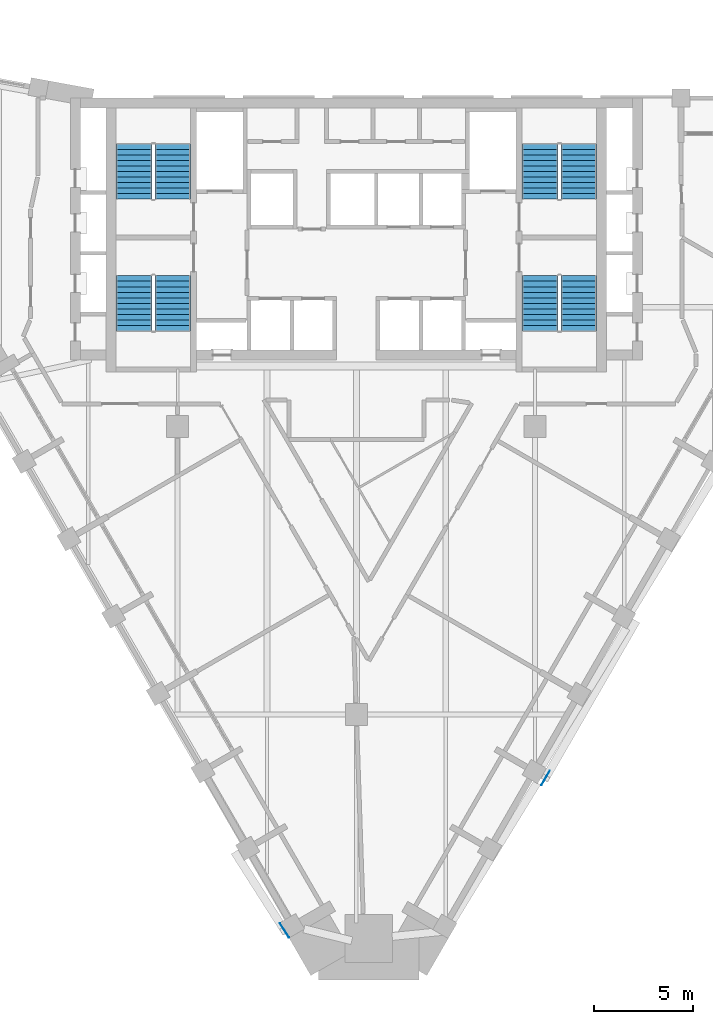
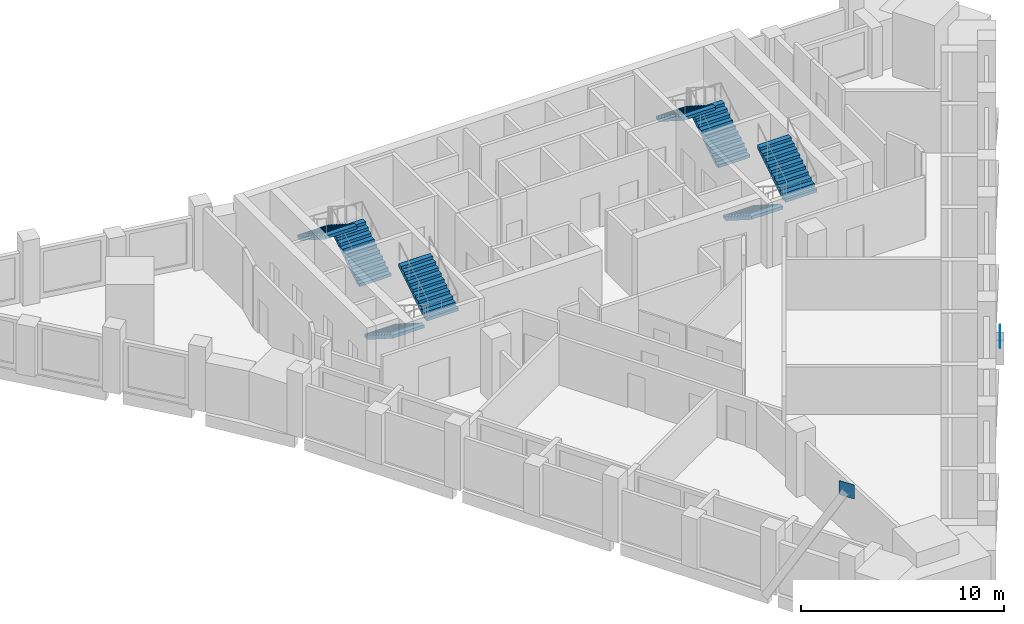
# One storey, part 8 of 9: 8 stair flights, 2 discrete accessories, 4 elements without a shape of their own.
"""IFC4 building model written with IfcOpenShell, lengths in metres."""

import ifcopenshell
import ifcopenshell.guid

model = None  # the IFC model being written
_history = None  # IfcOwnerHistory: only IFC2X3 demands one
_inside = {}  # id of a spatial element -> (the spatial element, [elements in it])
_under = {}  # id of a project, library or spatial element -> (it, [spatial elements below it])
_declared = {}  # id of a project -> (the project, [libraries it declares])
_typed = {}  # id of a type object -> (the type object, [elements of that type])
_made_of = {}  # id of a material, layer set ... -> (it, [elements and type objects made of it])


def new_model(schema):
    """Start an empty IFC model of exactly this schema.

    Asked for "IFC4X3", IfcOpenShell would pick the latest addendum, in which some entities
    have other attributes; the version numbers below select the first issue.
    IFC2X3 requires an IfcOwnerHistory on every rooted entity: one is made here for all.
    """
    global model, _history
    if schema == "IFC4X3":
        model = ifcopenshell.file(schema_version=(4, 3, 0, 0))
    else:
        model = ifcopenshell.file(schema=schema)
    _inside.clear()
    _under.clear()
    _declared.clear()
    _typed.clear()
    _made_of.clear()
    _history = None
    if model.schema == "IFC2X3":
        org = make("IfcOrganization", Name="unknown")
        user = make(
            "IfcPersonAndOrganization",
            ThePerson=make("IfcPerson", FamilyName="unknown"),
            TheOrganization=org,
        )
        app = make(
            "IfcApplication",
            ApplicationDeveloper=org,
            Version="unknown",
            ApplicationFullName="unknown",
            ApplicationIdentifier="unknown",
        )
        _history = make(
            "IfcOwnerHistory",
            OwningUser=user,
            OwningApplication=app,
            ChangeAction="ADDED",
            CreationDate=0,
        )
    return model


def make(cls, **values):
    """One entity of the class cls with the attributes given. An attribute that is None is left unset."""
    return model.create_entity(
        cls, **{name: value for name, value in values.items() if value is not None}
    )


def rooted(cls, **values):
    """An entity with a GlobalId (a new one), such as an element, a storey or a relation."""
    return make(cls, GlobalId=ifcopenshell.guid.new(), OwnerHistory=_history, **values)


def si_unit(unit_type, name, prefix=None):
    """IfcSIUnit, for example si_unit("LENGTHUNIT", "METRE", prefix="MILLI")."""
    return make("IfcSIUnit", UnitType=unit_type, Prefix=prefix, Name=name)


def assignment(units):
    """IfcUnitAssignment: the units of a project."""
    return None if units is None else make("IfcUnitAssignment", Units=units)


def point(xyz):
    """IfcCartesianPoint."""
    return None if xyz is None else make("IfcCartesianPoint", Coordinates=xyz)


def direction(xyz):
    """IfcDirection."""
    return None if xyz is None else make("IfcDirection", DirectionRatios=xyz)


def frame(location, z_axis=None, x_axis=None):
    """IfcAxis2Placement3D, a coordinate frame: its origin and axes. An axis left out is left unset."""
    return make(
        "IfcAxis2Placement3D",
        Location=point(location),
        Axis=direction(z_axis),
        RefDirection=direction(x_axis),
    )


def frame_2d(location, x_axis=None):
    """IfcAxis2Placement2D, a coordinate frame in the plane: its origin and x axis."""
    return make(
        "IfcAxis2Placement2D", Location=point(location), RefDirection=direction(x_axis)
    )


def origin():
    """The frame at (0, 0, 0) with its axes left unset."""
    return frame((0.0, 0.0, 0.0))


def origin_2d():
    """The frame at (0, 0) in the plane with its x axis left unset."""
    return frame_2d((0.0, 0.0))


def place(relative_to, where):
    """IfcLocalPlacement: puts the frame where relative to a parent placement (None: the world)."""
    return make(
        "IfcLocalPlacement", PlacementRelTo=relative_to, RelativePlacement=where
    )


def context(
    kind, dimensions, precision=None, world=None, true_north=None, identifier=None
):
    """IfcGeometricRepresentationContext, for example the 3D "Model" context."""
    return make(
        "IfcGeometricRepresentationContext",
        ContextIdentifier=identifier,
        ContextType=kind,
        CoordinateSpaceDimension=dimensions,
        Precision=precision,
        WorldCoordinateSystem=world,
        TrueNorth=true_north,
    )


def subcontext(parent, identifier, kind, view, scale=None):
    """IfcGeometricRepresentationSubContext, for example "Body" below "Model"."""
    return make(
        "IfcGeometricRepresentationSubContext",
        ContextIdentifier=identifier,
        ContextType=kind,
        ParentContext=parent,
        TargetScale=scale,
        TargetView=view,
    )


def project(units=None, contexts=None):
    """IfcProject with its units and contexts."""
    return rooted(
        "IfcProject",
        Name="project",
        RepresentationContexts=contexts,
        UnitsInContext=assignment(units),
    )


def spatial(cls, under=None, at=None, **own):
    """A site, building, storey or space (cls), placed at a placement, below another one or the project."""
    s = rooted(cls, ObjectPlacement=at, **own)
    if under is not None:
        _under.setdefault(under.id(), (under, []))[1].append(s)
    return s


def profile(cls, at=None, kind="AREA", **sizes):
    """A parametric profile (cls). Its sizes go by their IFC names, for example OverallWidth=200.0."""
    return make(cls, ProfileType=kind, Position=at, **sizes)


def rectangle(**sizes):
    """IfcRectangleProfileDef."""
    return profile("IfcRectangleProfileDef", **sizes)


def extrude(swept, where, along, depth):
    """IfcExtrudedAreaSolid: the profile swept, set in the frame where, extruded along a direction by depth."""
    return make(
        "IfcExtrudedAreaSolid",
        SweptArea=swept,
        Position=where,
        ExtrudedDirection=direction(along),
        Depth=depth,
    )


def faces_of(points, faces, orient=None, outer=None):
    """IfcFace entities. A face is a list of loops; a loop is a list of indices into points, from 0.

    orient and outer hold one flag for each loop. By default every Orientation is true, the
    first loop of a face is its IfcFaceOuterBound and the others are IfcFaceBound.
    """
    made = []
    for i, loops in enumerate(faces):
        bounds = []
        for j, loop in enumerate(loops):
            is_outer = j == 0 if outer is None else outer[i][j]
            bounds.append(
                make(
                    "IfcFaceOuterBound" if is_outer else "IfcFaceBound",
                    Bound=make("IfcPolyLoop", Polygon=[points[k] for k in loop]),
                    Orientation=True if orient is None else orient[i][j],
                )
            )
        made.append(make("IfcFace", Bounds=bounds))
    return made


def faceted_brep(points, faces, orient=None, outer=None, voids=None):
    """IfcFacetedBrep: a solid bounded by flat faces; with voids (closed shells), ...WithVoids."""
    shared = [point(p) for p in points]
    hull = make("IfcClosedShell", CfsFaces=faces_of(shared, faces, orient, outer))
    if voids is None:
        return make("IfcFacetedBrep", Outer=hull)
    return make(
        "IfcFacetedBrepWithVoids",
        Outer=hull,
        Voids=[
            make(cls, CfsFaces=faces_of(shared, fs, o, b)) for cls, fs, o, b in voids
        ],
    )


def shape(context_of_items, identifier, shape_type, items):
    """IfcShapeRepresentation: the items that make up one representation, for example the "Body"."""
    return make(
        "IfcShapeRepresentation",
        ContextOfItems=context_of_items,
        RepresentationIdentifier=identifier,
        RepresentationType=shape_type,
        Items=items,
    )


def source(mapping_origin, context_of_items, identifier, shape_type, items):
    """IfcRepresentationMap: a shape defined once, which mapped items show again and again."""
    return make(
        "IfcRepresentationMap",
        MappingOrigin=mapping_origin,
        MappedRepresentation=shape(context_of_items, identifier, shape_type, items),
    )


def transform(
    local_origin,
    x_axis=None,
    y_axis=None,
    z_axis=None,
    scale=None,
    scale2=None,
    scale3=None,
    uniform=True,
):
    """IfcCartesianTransformationOperator3D, or its non-uniform kind. x_axis, y_axis, z_axis: its Axis1, 2, 3."""
    if uniform:
        return make(
            "IfcCartesianTransformationOperator3D",
            Axis1=direction(x_axis),
            Axis2=direction(y_axis),
            LocalOrigin=point(local_origin),
            Scale=scale,
            Axis3=direction(z_axis),
        )
    return make(
        "IfcCartesianTransformationOperator3DnonUniform",
        Axis1=direction(x_axis),
        Axis2=direction(y_axis),
        LocalOrigin=point(local_origin),
        Scale=scale,
        Axis3=direction(z_axis),
        Scale2=scale2,
        Scale3=scale3,
    )


def mapped(mapping_source, mapping_target):
    """IfcMappedItem: shows the shape of a source again, moved by a transform."""
    return make(
        "IfcMappedItem", MappingSource=mapping_source, MappingTarget=mapping_target
    )


def material(Name=None, Category=None):
    """IfcMaterial."""
    return make("IfcMaterial", Name=Name, Category=Category)


def made_of(thing, what):
    """Note that an element or type object is made of a material, layer set ...; save() writes the relation."""
    if what is not None:
        _made_of.setdefault(what.id(), (what, []))[1].append(thing)
    return thing


def type_object(cls, material=None, **own):
    """A type object (cls), such as IfcWallType, which elements share."""
    return made_of(rooted(cls, **own), material)


def element(
    cls,
    number,
    at=None,
    inside=None,
    cuts=None,
    type_object=None,
    material=None,
    context=None,
    identifier="Body",
    shape_type=None,
    held_by="IfcProductDefinitionShape",
    body=None,
    shapes=None,
    **own,
):
    """One element of the class cls, such as IfcWall. Its Tag is "e" and its number.

    at: its placement. inside: the storey or other place that contains it. cuts: it is an
    opening in that element (IfcRelVoidsElement). A single representation is given by context,
    identifier, shape_type and body (its items); several are given by shapes. held_by: the class
    of the entity that holds the representations. save() writes the other relations.
    """
    e = rooted(cls, Tag="e%d" % number, ObjectPlacement=at, **own)
    if body is not None:
        shapes = [shape(context, identifier, shape_type, body)]
    if shapes is not None:
        e.Representation = make(held_by, Representations=shapes)
    if inside is not None:
        _inside.setdefault(inside.id(), (inside, []))[1].append(e)
    if cuts is not None:
        rooted(
            "IfcRelVoidsElement", RelatingBuildingElement=cuts, RelatedOpeningElement=e
        )
    if type_object is not None:
        _typed.setdefault(type_object.id(), (type_object, []))[1].append(e)
    return made_of(e, material)


def aggregate(whole, parts):
    """IfcRelAggregates: a whole, such as a stair, and the parts it consists of."""
    return rooted("IfcRelAggregates", RelatingObject=whole, RelatedObjects=parts)


def save(model, path):
    """Write the relations noted so far, then the file.

    IfcRelAggregates (storeys below a building ...), IfcRelContainedInSpatialStructure (elements
    in a storey), IfcRelDefinesByType, IfcRelAssociatesMaterial and IfcRelDeclares: one each for
    every whole, place, type object, material and project.
    """
    for whole, parts in _under.values():
        aggregate(whole, parts)
    for where, things in _inside.values():
        rooted(
            "IfcRelContainedInSpatialStructure",
            RelatedElements=things,
            RelatingStructure=where,
        )
    for kind, things in _typed.values():
        rooted("IfcRelDefinesByType", RelatedObjects=things, RelatingType=kind)
    for what, things in _made_of.values():
        rooted("IfcRelAssociatesMaterial", RelatedObjects=things, RelatingMaterial=what)
    for by, libraries in _declared.values():
        rooted("IfcRelDeclares", RelatingContext=by, RelatedDefinitions=libraries)
    model.write(path)


model = new_model("IFC4")

# Units and contexts
model_context = context("Model", 3, precision=1e-05, world=origin(), true_north=direction((0.0, 1.0)))
body_context = subcontext(model_context, "Body", "Model", "MODEL_VIEW")
ifc_project = project(units=[si_unit("LENGTHUNIT", "METRE"), si_unit("AREAUNIT", "SQUARE_METRE"), si_unit("VOLUMEUNIT", "CUBIC_METRE"), si_unit("PLANEANGLEUNIT", "RADIAN"), si_unit("MASSUNIT", "GRAM", prefix="KILO")], contexts=[model_context])

# Site, building, storey
site_placement = place(None, origin())
site = spatial("IfcSite", under=ifc_project, at=site_placement, CompositionType="ELEMENT")
building_placement = place(site_placement, origin())
building = spatial("IfcBuilding", under=site, at=building_placement, Name="Calabash Gate Tower", CompositionType="ELEMENT")
storey_placement = place(building_placement, frame((0.0, 0.0, 219.800048828125)))
storey = spatial("IfcBuildingStorey", under=building, at=storey_placement, Name="L52", CompositionType="ELEMENT", Elevation=219.800048828125)

# Stair, stair flights
ifc_material_1 = material(Name="Concrete C40/50", Category="concrete")
stair_type = type_object("IfcStairType", Name="Exit stair 22 risers of 177.3 mm", PredefinedType="HALF_TURN_STAIR", material=ifc_material_1)
stair_1_placement = place(storey_placement, origin())
stair_1 = element("IfcStair", 1, at=stair_1_placement, inside=storey, type_object=stair_type, Name="L52 Exit stair ST1", PredefinedType="HALF_TURN_STAIR")
ifc_material_2 = material(Name="Concrete C40/50", Category="concrete")
stair_flight_type = type_object("IfcStairFlightType", Name="Exit stair flight SFL", PredefinedType="STRAIGHT", material=ifc_material_2)
shared_shape = source(origin(), body_context, "Body", "Brep", [
    faceted_brep([(-0.0009765625, -0.89990234375, 0.0), (0.279541015625, -0.89990234375, 0.0), (2.791015625, -0.89990234375, 1.59521484375), (-0.0009765625, 0.89990234375, 0.0), (2.791015625, 0.89990234375, 1.59521484375), (0.279541015625, 0.89990234375, 0.0), (2.791015625, -0.89990234375, 1.78466796875), (2.7900390625, -0.89990234375, 1.78466796875), (2.7900390625, 0.89990234375, 1.78466796875), (2.791015625, 0.89990234375, 1.78466796875), (2.7900390625, -0.89990234375, 1.772705078125), (2.7900390625, 0.89990234375, 1.772705078125), (2.510986328125, -0.89990234375, 1.772705078125), (2.510986328125, 0.89990234375, 1.772705078125), (2.510986328125, -0.89990234375, 1.595458984375), (2.510986328125, 0.89990234375, 1.595458984375), (2.23193359375, -0.89990234375, 1.595458984375), (2.23193359375, 0.89990234375, 1.595458984375), (2.23193359375, -0.89990234375, 1.418212890625), (2.23193359375, 0.89990234375, 1.418212890625), (1.952880859375, -0.89990234375, 1.418212890625), (1.952880859375, -0.89990234375, 1.240966796875), (1.952880859375, 0.89990234375, 1.240966796875), (1.952880859375, 0.89990234375, 1.418212890625), (1.674072265625, -0.89990234375, 1.240966796875), (1.674072265625, -0.89990234375, 1.063720703125), (1.674072265625, 0.89990234375, 1.063720703125), (1.674072265625, 0.89990234375, 1.240966796875), (1.39501953125, -0.89990234375, 1.063720703125), (1.39501953125, -0.89990234375, 0.886474609375), (1.39501953125, 0.89990234375, 0.886474609375), (1.39501953125, 0.89990234375, 1.063720703125), (1.115966796875, -0.89990234375, 0.886474609375), (1.115966796875, -0.89990234375, 0.708984375), (1.115966796875, 0.89990234375, 0.708984375), (1.115966796875, 0.89990234375, 0.886474609375), (0.8369140625, -0.89990234375, 0.708984375), (0.8369140625, -0.89990234375, 0.53173828125), (0.8369140625, 0.89990234375, 0.53173828125), (0.8369140625, 0.89990234375, 0.708984375), (0.55810546875, -0.89990234375, 0.53173828125), (0.55810546875, -0.89990234375, 0.3544921875), (0.55810546875, 0.89990234375, 0.3544921875), (0.55810546875, 0.89990234375, 0.53173828125), (0.279052734375, -0.89990234375, 0.3544921875), (0.279052734375, -0.89990234375, 0.17724609375), (0.279052734375, 0.89990234375, 0.17724609375), (0.279052734375, 0.89990234375, 0.3544921875), (-0.0009765625, -0.89990234375, 0.17724609375), (-0.0009765625, 0.89990234375, 0.17724609375), (0.279541015625, -0.360107421875, 0.0), (2.791015625, -0.360107421875, 1.59521484375), (0.279541015625, 0.0, 0.0), (2.791015625, 0.0, 1.59521484375), (0.279541015625, 0.360107421875, 0.0), (2.791015625, 0.360107421875, 1.59521484375), (2.791015625, -0.360107421875, 1.78466796875), (2.791015625, 0.0, 1.78466796875), (2.791015625, 0.360107421875, 1.78466796875), (2.7900390625, -0.360107421875, 1.78466796875), (2.7900390625, 0.0, 1.78466796875), (2.7900390625, 0.360107421875, 1.78466796875), (2.7900390625, -0.360107421875, 1.772705078125), (2.7900390625, 0.0, 1.772705078125), (2.7900390625, 0.360107421875, 1.772705078125), (2.510986328125, -0.360107421875, 1.772705078125), (2.510986328125, 0.0, 1.772705078125), (2.510986328125, 0.360107421875, 1.772705078125), (2.510986328125, -0.360107421875, 1.595458984375), (2.510986328125, 0.0, 1.595458984375), (2.510986328125, 0.360107421875, 1.595458984375), (2.23193359375, -0.360107421875, 1.595458984375), (2.23193359375, 0.0, 1.595458984375), (2.23193359375, 0.360107421875, 1.595458984375), (2.23193359375, -0.360107421875, 1.418212890625), (2.23193359375, 0.0, 1.418212890625), (2.23193359375, 0.360107421875, 1.418212890625), (1.952880859375, -0.360107421875, 1.418212890625), (1.952880859375, 0.0, 1.418212890625), (1.952880859375, 0.360107421875, 1.418212890625), (1.952880859375, -0.360107421875, 1.240966796875), (1.952880859375, 0.0, 1.240966796875), (1.952880859375, 0.360107421875, 1.240966796875), (1.674072265625, -0.360107421875, 1.240966796875), (1.674072265625, 0.0, 1.240966796875), (1.674072265625, 0.360107421875, 1.240966796875), (1.674072265625, -0.360107421875, 1.063720703125), (1.674072265625, 0.0, 1.063720703125), (1.674072265625, 0.360107421875, 1.063720703125), (1.39501953125, -0.360107421875, 1.063720703125), (1.39501953125, 0.0, 1.063720703125), (1.39501953125, 0.360107421875, 1.063720703125), (1.39501953125, -0.360107421875, 0.886474609375), (1.39501953125, 0.0, 0.886474609375), (1.39501953125, 0.360107421875, 0.886474609375), (1.115966796875, -0.360107421875, 0.886474609375), (1.115966796875, 0.0, 0.886474609375), (1.115966796875, 0.360107421875, 0.886474609375), (1.115966796875, -0.360107421875, 0.708984375), (1.115966796875, 0.0, 0.708984375), (1.115966796875, 0.360107421875, 0.708984375), (0.8369140625, -0.360107421875, 0.708984375), (0.8369140625, 0.0, 0.708984375), (0.8369140625, 0.360107421875, 0.708984375), (0.8369140625, -0.360107421875, 0.53173828125), (0.8369140625, 0.0, 0.53173828125), (0.8369140625, 0.360107421875, 0.53173828125), (0.55810546875, -0.360107421875, 0.53173828125), (0.55810546875, 0.0, 0.53173828125), (0.55810546875, 0.360107421875, 0.53173828125), (0.55810546875, -0.360107421875, 0.3544921875), (0.55810546875, 0.0, 0.3544921875), (0.55810546875, 0.360107421875, 0.3544921875), (0.279052734375, -0.360107421875, 0.3544921875), (0.279052734375, 0.0, 0.3544921875), (0.279052734375, 0.360107421875, 0.3544921875), (0.279052734375, -0.360107421875, 0.17724609375), (0.279052734375, 0.0, 0.17724609375), (0.279052734375, 0.360107421875, 0.17724609375), (-0.0009765625, -0.360107421875, 0.17724609375), (-0.0009765625, 0.0, 0.17724609375), (-0.0009765625, 0.360107421875, 0.17724609375), (-0.0009765625, -0.360107421875, 0.0), (-0.0009765625, 0.0, 0.0), (-0.0009765625, 0.360107421875, 0.0)], [[[0, 1, 2]], [[3, 4, 5]], [[2, 6, 7]], [[4, 8, 9]], [[2, 7, 10]], [[4, 11, 8]], [[2, 10, 12]], [[4, 13, 11]], [[2, 12, 14]], [[4, 15, 13]], [[2, 14, 16]], [[4, 17, 15]], [[2, 16, 18]], [[4, 19, 17]], [[18, 20, 21]], [[19, 22, 23]], [[2, 18, 21]], [[4, 22, 19]], [[21, 24, 25]], [[22, 26, 27]], [[2, 21, 25]], [[4, 26, 22]], [[25, 28, 29]], [[26, 30, 31]], [[2, 25, 29]], [[4, 30, 26]], [[29, 32, 33]], [[30, 34, 35]], [[2, 29, 33]], [[4, 34, 30]], [[33, 36, 37]], [[34, 38, 39]], [[2, 33, 37]], [[4, 38, 34]], [[37, 40, 41]], [[38, 42, 43]], [[2, 37, 41]], [[4, 42, 38]], [[41, 44, 45]], [[42, 46, 47]], [[2, 41, 45]], [[4, 46, 42]], [[0, 2, 45]], [[3, 46, 4]], [[45, 48, 0]], [[46, 3, 49]], [[1, 50, 2]], [[50, 51, 2]], [[50, 52, 51]], [[52, 53, 51]], [[52, 54, 55]], [[52, 55, 53]], [[54, 5, 4]], [[54, 4, 55]], [[2, 51, 6]], [[51, 56, 6]], [[51, 53, 56]], [[53, 57, 56]], [[53, 55, 58]], [[53, 58, 57]], [[55, 4, 9]], [[55, 9, 58]], [[6, 56, 7]], [[56, 59, 7]], [[56, 57, 59]], [[57, 60, 59]], [[57, 58, 61]], [[57, 61, 60]], [[58, 9, 8]], [[58, 8, 61]], [[7, 59, 10]], [[59, 62, 10]], [[59, 60, 62]], [[60, 63, 62]], [[60, 61, 64]], [[60, 64, 63]], [[61, 8, 11]], [[61, 11, 64]], [[10, 62, 12]], [[62, 65, 12]], [[62, 63, 65]], [[63, 66, 65]], [[63, 64, 67]], [[63, 67, 66]], [[64, 11, 13]], [[64, 13, 67]], [[12, 65, 14]], [[65, 68, 14]], [[65, 66, 68]], [[66, 69, 68]], [[66, 67, 70]], [[66, 70, 69]], [[67, 13, 15]], [[67, 15, 70]], [[14, 68, 16]], [[68, 71, 16]], [[68, 69, 71]], [[69, 72, 71]], [[69, 70, 73]], [[69, 73, 72]], [[70, 15, 17]], [[70, 17, 73]], [[16, 71, 18]], [[71, 74, 18]], [[71, 72, 74]], [[72, 75, 74]], [[72, 73, 76]], [[72, 76, 75]], [[73, 17, 19]], [[73, 19, 76]], [[18, 74, 20]], [[74, 77, 20]], [[74, 75, 77]], [[75, 78, 77]], [[75, 76, 79]], [[75, 79, 78]], [[76, 19, 23]], [[76, 23, 79]], [[20, 77, 21]], [[77, 80, 21]], [[77, 78, 80]], [[78, 81, 80]], [[78, 79, 82]], [[78, 82, 81]], [[79, 23, 22]], [[79, 22, 82]], [[21, 80, 24]], [[80, 83, 24]], [[80, 81, 83]], [[81, 84, 83]], [[81, 82, 85]], [[81, 85, 84]], [[82, 22, 27]], [[82, 27, 85]], [[24, 83, 25]], [[83, 86, 25]], [[83, 84, 86]], [[84, 87, 86]], [[84, 85, 88]], [[84, 88, 87]], [[85, 27, 26]], [[85, 26, 88]], [[25, 86, 28]], [[86, 89, 28]], [[86, 87, 89]], [[87, 90, 89]], [[87, 88, 91]], [[87, 91, 90]], [[88, 26, 31]], [[88, 31, 91]], [[28, 89, 29]], [[89, 92, 29]], [[89, 90, 92]], [[90, 93, 92]], [[90, 91, 94]], [[90, 94, 93]], [[91, 31, 30]], [[91, 30, 94]], [[29, 92, 32]], [[92, 95, 32]], [[92, 93, 95]], [[93, 96, 95]], [[93, 94, 97]], [[93, 97, 96]], [[94, 30, 35]], [[94, 35, 97]], [[32, 95, 33]], [[95, 98, 33]], [[95, 96, 98]], [[96, 99, 98]], [[96, 97, 100]], [[96, 100, 99]], [[97, 35, 34]], [[97, 34, 100]], [[33, 98, 36]], [[98, 101, 36]], [[98, 99, 101]], [[99, 102, 101]], [[99, 100, 103]], [[99, 103, 102]], [[100, 34, 39]], [[100, 39, 103]], [[36, 101, 37]], [[101, 104, 37]], [[101, 102, 104]], [[102, 105, 104]], [[102, 103, 106]], [[102, 106, 105]], [[103, 39, 38]], [[103, 38, 106]], [[37, 104, 40]], [[104, 107, 40]], [[104, 105, 107]], [[105, 108, 107]], [[105, 106, 109]], [[105, 109, 108]], [[106, 38, 43]], [[106, 43, 109]], [[40, 107, 41]], [[107, 110, 41]], [[107, 108, 110]], [[108, 111, 110]], [[108, 109, 112]], [[108, 112, 111]], [[109, 43, 42]], [[109, 42, 112]], [[41, 110, 44]], [[110, 113, 44]], [[110, 111, 113]], [[111, 114, 113]], [[111, 112, 115]], [[111, 115, 114]], [[112, 42, 47]], [[112, 47, 115]], [[44, 113, 45]], [[113, 116, 45]], [[113, 114, 116]], [[114, 117, 116]], [[114, 115, 118]], [[114, 118, 117]], [[115, 47, 46]], [[115, 46, 118]], [[45, 116, 48]], [[116, 119, 48]], [[116, 117, 119]], [[117, 120, 119]], [[117, 118, 121]], [[117, 121, 120]], [[118, 46, 49]], [[118, 49, 121]], [[48, 119, 0]], [[119, 122, 0]], [[119, 120, 122]], [[120, 123, 122]], [[120, 121, 124]], [[120, 124, 123]], [[121, 49, 3]], [[121, 3, 124]], [[0, 122, 1]], [[122, 50, 1]], [[122, 123, 50]], [[123, 52, 50]], [[123, 124, 54]], [[123, 54, 52]], [[124, 3, 5]], [[124, 5, 54]]]),
])
stair_flight_1_placement = place(storey_placement, frame((-9.25, 13.95263671875, 0.0), z_axis=(0.0, 0.0, 1.0), x_axis=(0.0, 1.0, 0.0)))
stair_flight_1 = element("IfcStairFlight", 2, at=stair_flight_1_placement, type_object=stair_flight_type, Name="ST1 flight 1", NumberOfRisers=11, NumberOfTreads=10, PredefinedType="STRAIGHT", RiserHeight=0.177272727, TreadLength=0.279, context=body_context, shape_type="MappedRepresentation", body=[
    mapped(shared_shape, transform((0.0, 0.0, 0.0), scale=1.0)),
])
stair_flight_2_placement = place(storey_placement, frame((-11.199951171875, 16.74267578125, 1.949951171875), z_axis=(0.0, 0.0, 1.0), x_axis=(0.0, -1.0, 0.0)))
stair_flight_2 = element("IfcStairFlight", 3, at=stair_flight_2_placement, type_object=stair_flight_type, Name="ST1 flight 2", NumberOfRisers=11, NumberOfTreads=10, PredefinedType="STRAIGHT", RiserHeight=0.177272727, TreadLength=0.279, context=body_context, shape_type="MappedRepresentation", body=[
    mapped(shared_shape, transform((0.0, 0.0, 0.0), scale=1.0)),
])
aggregate(stair_1, [stair_flight_1, stair_flight_2])

stair_2_placement = place(storey_placement, origin())
stair_2 = element("IfcStair", 4, at=stair_2_placement, inside=storey, type_object=stair_type, Name="L52 Exit stair ST2", PredefinedType="HALF_TURN_STAIR")
stair_flight_3_placement = place(storey_placement, frame((-11.199951171875, 10.1025390625, 0.0), z_axis=(0.0, 0.0, 1.0), x_axis=(0.0, -1.0, 0.0)))
stair_flight_3 = element("IfcStairFlight", 5, at=stair_flight_3_placement, type_object=stair_flight_type, Name="ST2 flight 1", NumberOfRisers=11, NumberOfTreads=10, PredefinedType="STRAIGHT", RiserHeight=0.177272727, TreadLength=0.279, context=body_context, shape_type="MappedRepresentation", body=[
    mapped(shared_shape, transform((0.0, 0.0, 0.0), scale=1.0)),
])
stair_flight_4_placement = place(storey_placement, frame((-9.25, 7.3125, 1.949951171875), z_axis=(0.0, 0.0, 1.0), x_axis=(0.0, 1.0, 0.0)))
stair_flight_4 = element("IfcStairFlight", 6, at=stair_flight_4_placement, type_object=stair_flight_type, Name="ST2 flight 2", NumberOfRisers=11, NumberOfTreads=10, PredefinedType="STRAIGHT", RiserHeight=0.177272727, TreadLength=0.279, context=body_context, shape_type="MappedRepresentation", body=[
    mapped(shared_shape, transform((0.0, 0.0, 0.0), scale=1.0)),
])
aggregate(stair_2, [stair_flight_3, stair_flight_4])

stair_3_placement = place(storey_placement, origin())
stair_3 = element("IfcStair", 7, at=stair_3_placement, inside=storey, type_object=stair_type, Name="L52 Exit stair ST3", PredefinedType="HALF_TURN_STAIR")
stair_flight_5_placement = place(storey_placement, frame((11.199951171875, 13.95263671875, 0.0), z_axis=(0.0, 0.0, 1.0), x_axis=(0.0, 1.0, 0.0)))
stair_flight_5 = element("IfcStairFlight", 8, at=stair_flight_5_placement, type_object=stair_flight_type, Name="ST3 flight 1", NumberOfRisers=11, NumberOfTreads=10, PredefinedType="STRAIGHT", RiserHeight=0.177272727, TreadLength=0.279, context=body_context, shape_type="MappedRepresentation", body=[
    mapped(shared_shape, transform((0.0, 0.0, 0.0), scale=1.0)),
])
stair_flight_6_placement = place(storey_placement, frame((9.25, 16.74267578125, 1.949951171875), z_axis=(0.0, 0.0, 1.0), x_axis=(0.0, -1.0, 0.0)))
stair_flight_6 = element("IfcStairFlight", 9, at=stair_flight_6_placement, type_object=stair_flight_type, Name="ST3 flight 2", NumberOfRisers=11, NumberOfTreads=10, PredefinedType="STRAIGHT", RiserHeight=0.177272727, TreadLength=0.279, context=body_context, shape_type="MappedRepresentation", body=[
    mapped(shared_shape, transform((0.0, 0.0, 0.0), scale=1.0)),
])
aggregate(stair_3, [stair_flight_5, stair_flight_6])

stair_4_placement = place(storey_placement, origin())
stair_4 = element("IfcStair", 10, at=stair_4_placement, inside=storey, type_object=stair_type, Name="L52 Exit stair ST4", PredefinedType="HALF_TURN_STAIR")
stair_flight_7_placement = place(storey_placement, frame((9.25, 10.1025390625, 0.0), z_axis=(0.0, 0.0, 1.0), x_axis=(0.0, -1.0, 0.0)))
stair_flight_7 = element("IfcStairFlight", 11, at=stair_flight_7_placement, type_object=stair_flight_type, Name="ST4 flight 1", NumberOfRisers=11, NumberOfTreads=10, PredefinedType="STRAIGHT", RiserHeight=0.177272727, TreadLength=0.279, context=body_context, shape_type="MappedRepresentation", body=[
    mapped(shared_shape, transform((0.0, 0.0, 0.0), scale=1.0)),
])
stair_flight_8_placement = place(storey_placement, frame((11.199951171875, 7.3125, 1.949951171875), z_axis=(0.0, 0.0, 1.0), x_axis=(0.0, 1.0, 0.0)))
stair_flight_8 = element("IfcStairFlight", 12, at=stair_flight_8_placement, type_object=stair_flight_type, Name="ST4 flight 2", NumberOfRisers=11, NumberOfTreads=10, PredefinedType="STRAIGHT", RiserHeight=0.177272727, TreadLength=0.279, context=body_context, shape_type="MappedRepresentation", body=[
    mapped(shared_shape, transform((0.0, 0.0, 0.0), scale=1.0)),
])
aggregate(stair_4, [stair_flight_7, stair_flight_8])

# Discrete accessories
ifc_material_3 = material(Name="Steel ASTM A572 Gr50", Category="steel")
discrete_accessory_type = type_object("IfcDiscreteAccessoryType", Name="Connection plate 25", PredefinedType="BRACKET", material=ifc_material_3)
for number, where, z_axis, x_axis, name in (
    (13, (-3.6220703125, -22.864013671875, 7.375), (0.0, 0.0, 1.0), (0.536610873903, -0.843829822896, 0.0), "Connection plate Mega-brace SW Z4 31 end"),
    (14, (9.52490234375, -15.193603515625, 7.375), (0.0, 0.0, 1.0), (-0.499999984885, -0.866025412511, 0.0), "Connection plate Mega-brace SE Z4 35 end"),
):
    element("IfcDiscreteAccessory", number, at=place(storey_placement, frame(where, z_axis=z_axis, x_axis=x_axis)), inside=storey, type_object=discrete_accessory_type, Name=name, PredefinedType="BRACKET", context=body_context, shape_type="SweptSolid", body=[
        extrude(rectangle(XDim=0.850341796875, YDim=0.02490234375, at=origin_2d()), origin(), (0.0, 0.0, 1.0), 0.850341796875),
    ])

save(model, "model.ifc")
